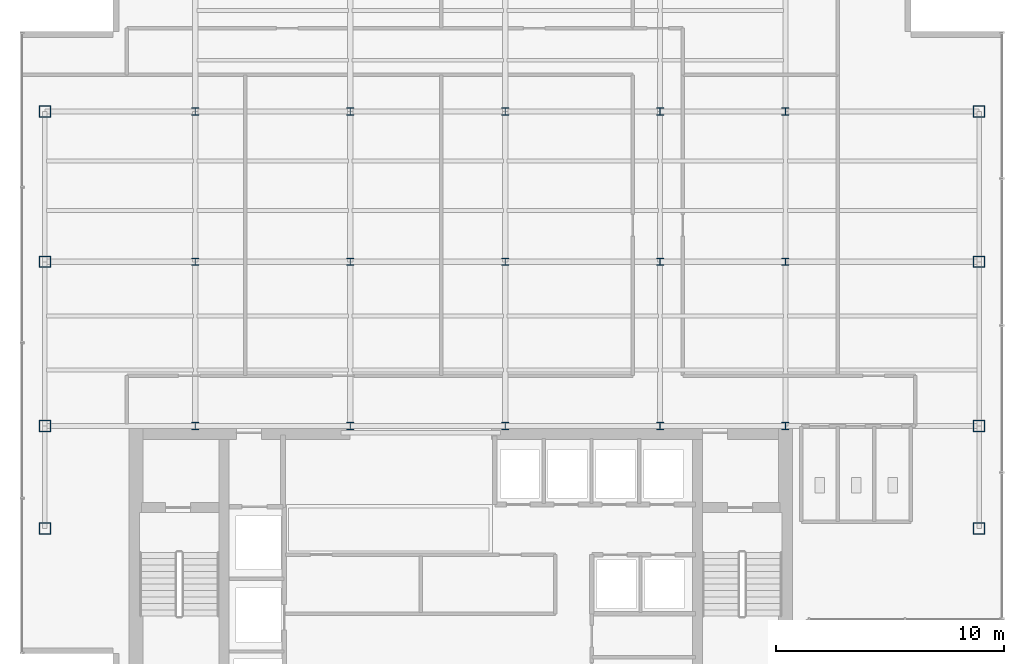
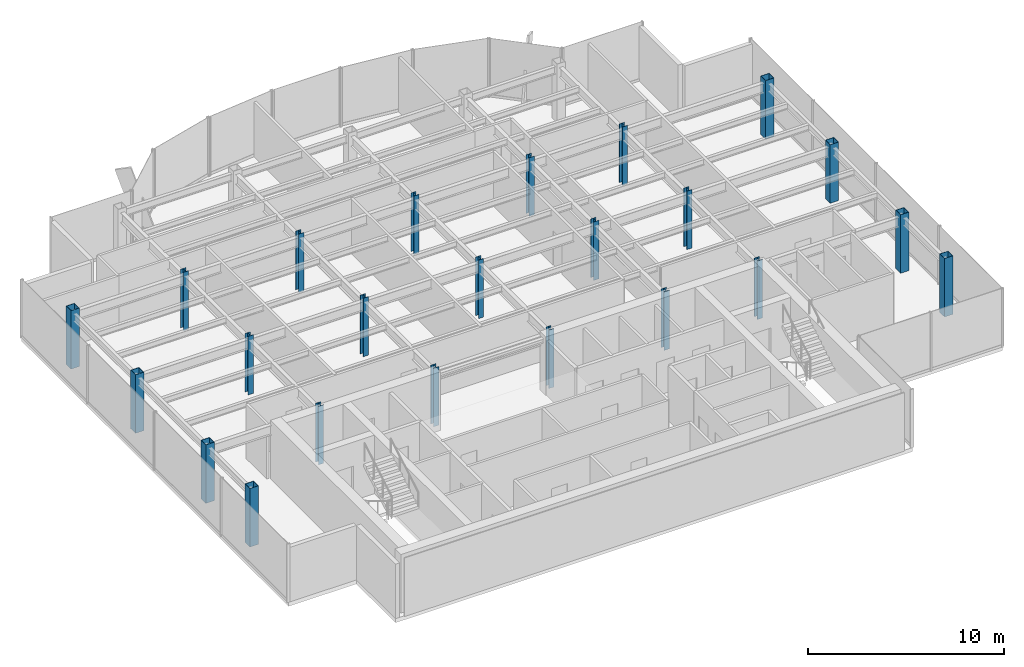
# One storey, part 1 of 22: 23 columns.
"""IFC4 building model written with IfcOpenShell, lengths in metres."""

import ifcopenshell
import ifcopenshell.guid

model = None  # the IFC model being written
_history = None  # IfcOwnerHistory: only IFC2X3 demands one
_inside = {}  # id of a spatial element -> (the spatial element, [elements in it])
_under = {}  # id of a project, library or spatial element -> (it, [spatial elements below it])
_declared = {}  # id of a project -> (the project, [libraries it declares])
_typed = {}  # id of a type object -> (the type object, [elements of that type])
_made_of = {}  # id of a material, layer set ... -> (it, [elements and type objects made of it])


def new_model(schema):
    """Start an empty IFC model of exactly this schema.

    Asked for "IFC4X3", IfcOpenShell would pick the latest addendum, in which some entities
    have other attributes; the version numbers below select the first issue.
    IFC2X3 requires an IfcOwnerHistory on every rooted entity: one is made here for all.
    """
    global model, _history
    if schema == "IFC4X3":
        model = ifcopenshell.file(schema_version=(4, 3, 0, 0))
    else:
        model = ifcopenshell.file(schema=schema)
    _inside.clear()
    _under.clear()
    _declared.clear()
    _typed.clear()
    _made_of.clear()
    _history = None
    if model.schema == "IFC2X3":
        org = make("IfcOrganization", Name="unknown")
        user = make(
            "IfcPersonAndOrganization",
            ThePerson=make("IfcPerson", FamilyName="unknown"),
            TheOrganization=org,
        )
        app = make(
            "IfcApplication",
            ApplicationDeveloper=org,
            Version="unknown",
            ApplicationFullName="unknown",
            ApplicationIdentifier="unknown",
        )
        _history = make(
            "IfcOwnerHistory",
            OwningUser=user,
            OwningApplication=app,
            ChangeAction="ADDED",
            CreationDate=0,
        )
    return model


def make(cls, **values):
    """One entity of the class cls with the attributes given. An attribute that is None is left unset."""
    return model.create_entity(
        cls, **{name: value for name, value in values.items() if value is not None}
    )


def rooted(cls, **values):
    """An entity with a GlobalId (a new one), such as an element, a storey or a relation."""
    return make(cls, GlobalId=ifcopenshell.guid.new(), OwnerHistory=_history, **values)


def si_unit(unit_type, name, prefix=None):
    """IfcSIUnit, for example si_unit("LENGTHUNIT", "METRE", prefix="MILLI")."""
    return make("IfcSIUnit", UnitType=unit_type, Prefix=prefix, Name=name)


def derived_unit(unit_type, elements):
    """IfcDerivedUnit: a product of units, each with its exponent."""
    return make(
        "IfcDerivedUnit",
        Elements=[
            make("IfcDerivedUnitElement", Unit=unit, Exponent=power)
            for unit, power in elements
        ],
        UnitType=unit_type,
    )


def assignment(units):
    """IfcUnitAssignment: the units of a project."""
    return None if units is None else make("IfcUnitAssignment", Units=units)


def point(xyz):
    """IfcCartesianPoint."""
    return None if xyz is None else make("IfcCartesianPoint", Coordinates=xyz)


def direction(xyz):
    """IfcDirection."""
    return None if xyz is None else make("IfcDirection", DirectionRatios=xyz)


def frame(location, z_axis=None, x_axis=None):
    """IfcAxis2Placement3D, a coordinate frame: its origin and axes. An axis left out is left unset."""
    return make(
        "IfcAxis2Placement3D",
        Location=point(location),
        Axis=direction(z_axis),
        RefDirection=direction(x_axis),
    )


def frame_2d(location, x_axis=None):
    """IfcAxis2Placement2D, a coordinate frame in the plane: its origin and x axis."""
    return make(
        "IfcAxis2Placement2D", Location=point(location), RefDirection=direction(x_axis)
    )


def origin():
    """The frame at (0, 0, 0) with its axes left unset."""
    return frame((0.0, 0.0, 0.0))


def origin_2d():
    """The frame at (0, 0) in the plane with its x axis left unset."""
    return frame_2d((0.0, 0.0))


def place(relative_to, where):
    """IfcLocalPlacement: puts the frame where relative to a parent placement (None: the world)."""
    return make(
        "IfcLocalPlacement", PlacementRelTo=relative_to, RelativePlacement=where
    )


def context(
    kind, dimensions, precision=None, world=None, true_north=None, identifier=None
):
    """IfcGeometricRepresentationContext, for example the 3D "Model" context."""
    return make(
        "IfcGeometricRepresentationContext",
        ContextIdentifier=identifier,
        ContextType=kind,
        CoordinateSpaceDimension=dimensions,
        Precision=precision,
        WorldCoordinateSystem=world,
        TrueNorth=true_north,
    )


def subcontext(parent, identifier, kind, view, scale=None):
    """IfcGeometricRepresentationSubContext, for example "Body" below "Model"."""
    return make(
        "IfcGeometricRepresentationSubContext",
        ContextIdentifier=identifier,
        ContextType=kind,
        ParentContext=parent,
        TargetScale=scale,
        TargetView=view,
    )


def project(units=None, contexts=None):
    """IfcProject with its units and contexts."""
    return rooted(
        "IfcProject",
        Name="project",
        RepresentationContexts=contexts,
        UnitsInContext=assignment(units),
    )


def spatial(cls, under=None, at=None, **own):
    """A site, building, storey or space (cls), placed at a placement, below another one or the project."""
    s = rooted(cls, ObjectPlacement=at, **own)
    if under is not None:
        _under.setdefault(under.id(), (under, []))[1].append(s)
    return s


def profile(cls, at=None, kind="AREA", **sizes):
    """A parametric profile (cls). Its sizes go by their IFC names, for example OverallWidth=200.0."""
    return make(cls, ProfileType=kind, Position=at, **sizes)


def hollow_rectangle(**sizes):
    """IfcRectangleHollowProfileDef."""
    return profile("IfcRectangleHollowProfileDef", **sizes)


def i_section(**sizes):
    """IfcIShapeProfileDef."""
    return profile("IfcIShapeProfileDef", **sizes)


def extrude(swept, where, along, depth):
    """IfcExtrudedAreaSolid: the profile swept, set in the frame where, extruded along a direction by depth."""
    return make(
        "IfcExtrudedAreaSolid",
        SweptArea=swept,
        Position=where,
        ExtrudedDirection=direction(along),
        Depth=depth,
    )


def shape(context_of_items, identifier, shape_type, items):
    """IfcShapeRepresentation: the items that make up one representation, for example the "Body"."""
    return make(
        "IfcShapeRepresentation",
        ContextOfItems=context_of_items,
        RepresentationIdentifier=identifier,
        RepresentationType=shape_type,
        Items=items,
    )


def source(mapping_origin, context_of_items, identifier, shape_type, items):
    """IfcRepresentationMap: a shape defined once, which mapped items show again and again."""
    return make(
        "IfcRepresentationMap",
        MappingOrigin=mapping_origin,
        MappedRepresentation=shape(context_of_items, identifier, shape_type, items),
    )


def transform(
    local_origin,
    x_axis=None,
    y_axis=None,
    z_axis=None,
    scale=None,
    scale2=None,
    scale3=None,
    uniform=True,
):
    """IfcCartesianTransformationOperator3D, or its non-uniform kind. x_axis, y_axis, z_axis: its Axis1, 2, 3."""
    if uniform:
        return make(
            "IfcCartesianTransformationOperator3D",
            Axis1=direction(x_axis),
            Axis2=direction(y_axis),
            LocalOrigin=point(local_origin),
            Scale=scale,
            Axis3=direction(z_axis),
        )
    return make(
        "IfcCartesianTransformationOperator3DnonUniform",
        Axis1=direction(x_axis),
        Axis2=direction(y_axis),
        LocalOrigin=point(local_origin),
        Scale=scale,
        Axis3=direction(z_axis),
        Scale2=scale2,
        Scale3=scale3,
    )


def mapped(mapping_source, mapping_target):
    """IfcMappedItem: shows the shape of a source again, moved by a transform."""
    return make(
        "IfcMappedItem", MappingSource=mapping_source, MappingTarget=mapping_target
    )


def material(Name=None, Category=None):
    """IfcMaterial."""
    return make("IfcMaterial", Name=Name, Category=Category)


def material_profile(
    of_material, cross_section, Name=None, Category=None, Priority=None
):
    """IfcMaterialProfile: a cross section and its material."""
    return make(
        "IfcMaterialProfile",
        Name=Name,
        Material=of_material,
        Profile=cross_section,
        Priority=Priority,
        Category=Category,
    )


def profile_set(profiles, Name=None, composite=None):
    """IfcMaterialProfileSet."""
    return make(
        "IfcMaterialProfileSet",
        Name=Name,
        MaterialProfiles=profiles,
        CompositeProfile=composite,
    )


def made_of(thing, what):
    """Note that an element or type object is made of a material, layer set ...; save() writes the relation."""
    if what is not None:
        _made_of.setdefault(what.id(), (what, []))[1].append(thing)
    return thing


def type_object(cls, material=None, **own):
    """A type object (cls), such as IfcWallType, which elements share."""
    return made_of(rooted(cls, **own), material)


def element(
    cls,
    number,
    at=None,
    inside=None,
    cuts=None,
    type_object=None,
    material=None,
    context=None,
    identifier="Body",
    shape_type=None,
    held_by="IfcProductDefinitionShape",
    body=None,
    shapes=None,
    **own,
):
    """One element of the class cls, such as IfcWall. Its Tag is "e" and its number.

    at: its placement. inside: the storey or other place that contains it. cuts: it is an
    opening in that element (IfcRelVoidsElement). A single representation is given by context,
    identifier, shape_type and body (its items); several are given by shapes. held_by: the class
    of the entity that holds the representations. save() writes the other relations.
    """
    e = rooted(cls, Tag="e%d" % number, ObjectPlacement=at, **own)
    if body is not None:
        shapes = [shape(context, identifier, shape_type, body)]
    if shapes is not None:
        e.Representation = make(held_by, Representations=shapes)
    if inside is not None:
        _inside.setdefault(inside.id(), (inside, []))[1].append(e)
    if cuts is not None:
        rooted(
            "IfcRelVoidsElement", RelatingBuildingElement=cuts, RelatedOpeningElement=e
        )
    if type_object is not None:
        _typed.setdefault(type_object.id(), (type_object, []))[1].append(e)
    return made_of(e, material)


def aggregate(whole, parts):
    """IfcRelAggregates: a whole, such as a stair, and the parts it consists of."""
    return rooted("IfcRelAggregates", RelatingObject=whole, RelatedObjects=parts)


def save(model, path):
    """Write the relations noted so far, then the file.

    IfcRelAggregates (storeys below a building ...), IfcRelContainedInSpatialStructure (elements
    in a storey), IfcRelDefinesByType, IfcRelAssociatesMaterial and IfcRelDeclares: one each for
    every whole, place, type object, material and project.
    """
    for whole, parts in _under.values():
        aggregate(whole, parts)
    for where, things in _inside.values():
        rooted(
            "IfcRelContainedInSpatialStructure",
            RelatedElements=things,
            RelatingStructure=where,
        )
    for kind, things in _typed.values():
        rooted("IfcRelDefinesByType", RelatedObjects=things, RelatingType=kind)
    for what, things in _made_of.values():
        rooted("IfcRelAssociatesMaterial", RelatedObjects=things, RelatingMaterial=what)
    for by, libraries in _declared.values():
        rooted("IfcRelDeclares", RelatingContext=by, RelatedDefinitions=libraries)
    model.write(path)


model = new_model("IFC4")

# Units and contexts
model_context = context("Model", 3, precision=1e-05, world=origin(), true_north=direction((0.0, 1.0)))
body_context = subcontext(model_context, "Body", "Model", "MODEL_VIEW")
ifc_project = project(units=[si_unit("LENGTHUNIT", "METRE"), si_unit("AREAUNIT", "SQUARE_METRE"), si_unit("VOLUMEUNIT", "CUBIC_METRE"), si_unit("PLANEANGLEUNIT", "RADIAN"), si_unit("MASSUNIT", "GRAM", prefix="KILO"), derived_unit("THERMALTRANSMITTANCEUNIT", [(si_unit("POWERUNIT", "WATT"), 1), (si_unit("LENGTHUNIT", "METRE"), -2), (si_unit("THERMODYNAMICTEMPERATUREUNIT", "KELVIN"), -1)])], contexts=[model_context])

# Site, building, storey
site_placement = place(None, origin())
site = spatial("IfcSite", under=ifc_project, at=site_placement, CompositionType="ELEMENT")
building_placement = place(site_placement, origin())
building = spatial("IfcBuilding", under=site, at=building_placement, Name="Skarnbrae Concourse Arena and Tower", CompositionType="ELEMENT")
storey_placement = place(building_placement, frame((0.0, 0.0, 203.199951171875)))
storey = spatial("IfcBuildingStorey", under=building, at=storey_placement, Name="L52", CompositionType="ELEMENT", Elevation=203.199951171875)

# Columns
ifc_material = material(Name="Steel CSA G40.21 350W", Category="steel")
ifc_material_profile_1 = material_profile(ifc_material, hollow_rectangle(XDim=0.5, YDim=0.5, WallThickness=0.02197265625, at=origin_2d()), Name="HSS500X500X22.0")
ifc_profile_set_1 = profile_set([ifc_material_profile_1], Name="Steel CSA G40.21 350W")
column_type_1 = type_object("IfcColumnType", Name="COL-TUBE-HSS500", PredefinedType="COLUMN", material=ifc_profile_set_1)
shared_shape_1 = source(origin(), body_context, "Body", "SweptSolid", [
    extrude(hollow_rectangle(XDim=0.5, YDim=0.5, WallThickness=0.02197265625, at=origin_2d()), origin(), (0.0, 0.0, 1.0), 3.650146484375),
])
for number, where, z_axis, x_axis, name in (
    (1, (1.0, 9.5, 0.0), (0.0, 0.0, 1.0), (1.0, 0.0, 0.0), "L52 Tower column PC_01_01"),
    (2, (1.0, 14.0, 0.0), (0.0, 0.0, 1.0), (1.0, 0.0, 0.0), "L52 Tower column PC_01_02"),
    (3, (1.0, 21.199951171875, 0.0), (0.0, 0.0, 1.0), (1.0, 0.0, 0.0), "L52 Tower column PC_01_03"),
    (4, (1.0, 27.800048828125, 0.0), (0.0, 0.0, 1.0), (1.0, 0.0, 0.0), "L52 Tower column PC_01_04"),
    (5, (42.0, 9.5, 0.0), (0.0, 0.0, 1.0), (1.0, 0.0, 0.0), "L52 Tower column PC_07_01"),
    (6, (42.0, 14.0, 0.0), (0.0, 0.0, 1.0), (1.0, 0.0, 0.0), "L52 Tower column PC_07_02"),
    (7, (42.0, 21.199951171875, 0.0), (0.0, 0.0, 1.0), (1.0, 0.0, 0.0), "L52 Tower column PC_07_03"),
    (8, (42.0, 27.800048828125, 0.0), (0.0, 0.0, 1.0), (1.0, 0.0, 0.0), "L52 Tower column PC_07_04"),
):
    element("IfcColumn", number, at=place(storey_placement, frame(where, z_axis=z_axis, x_axis=x_axis)), inside=storey, type_object=column_type_1, Name=name, PredefinedType="COLUMN", context=body_context, shape_type="MappedRepresentation", body=[
        mapped(shared_shape_1, transform((0.0, 0.0, 0.0))),
    ])
ifc_material_profile_2 = material_profile(ifc_material, i_section(OverallWidth=0.30908203125, OverallDepth=0.322998046875, WebThickness=0.013916015625, FlangeThickness=0.02294921875, at=origin_2d()), Name="W310X143")
ifc_profile_set_2 = profile_set([ifc_material_profile_2], Name="Steel CSA G40.21 350W")
column_type_2 = type_object("IfcColumnType", Name="COL-INT-W310X143", PredefinedType="COLUMN", material=ifc_profile_set_2)
shared_shape_2 = source(origin(), body_context, "Body", "SweptSolid", [
    extrude(i_section(OverallWidth=0.30908203125, OverallDepth=0.322998046875, WebThickness=0.013916015625, FlangeThickness=0.02294921875, at=origin_2d()), origin(), (0.0, 0.0, 1.0), 3.650146484375),
])
for number, where, z_axis, x_axis, name in (
    (9, (7.60009765625, 14.0, 0.0), (0.0, 0.0, 1.0), (1.0, 0.0, 0.0), "L52 Tower column IC_02_02"),
    (10, (7.60009765625, 21.199951171875, 0.0), (0.0, 0.0, 1.0), (1.0, 0.0, 0.0), "L52 Tower column IC_02_03"),
    (11, (7.60009765625, 27.800048828125, 0.0), (0.0, 0.0, 1.0), (1.0, 0.0, 0.0), "L52 Tower column IC_02_04"),
    (12, (14.39990234375, 14.0, 0.0), (0.0, 0.0, 1.0), (1.0, 0.0, 0.0), "L52 Tower column IC_03_02"),
    (13, (14.39990234375, 21.199951171875, 0.0), (0.0, 0.0, 1.0), (1.0, 0.0, 0.0), "L52 Tower column IC_03_03"),
    (14, (14.39990234375, 27.800048828125, 0.0), (0.0, 0.0, 1.0), (1.0, 0.0, 0.0), "L52 Tower column IC_03_04"),
    (15, (21.199951171875, 14.0, 0.0), (0.0, 0.0, 1.0), (1.0, 0.0, 0.0), "L52 Tower column IC_04_02"),
    (16, (21.199951171875, 21.199951171875, 0.0), (0.0, 0.0, 1.0), (1.0, 0.0, 0.0), "L52 Tower column IC_04_03"),
    (17, (21.199951171875, 27.800048828125, 0.0), (0.0, 0.0, 1.0), (1.0, 0.0, 0.0), "L52 Tower column IC_04_04"),
    (18, (28.0, 14.0, 0.0), (0.0, 0.0, 1.0), (1.0, 0.0, 0.0), "L52 Tower column IC_05_02"),
    (19, (28.0, 21.199951171875, 0.0), (0.0, 0.0, 1.0), (1.0, 0.0, 0.0), "L52 Tower column IC_05_03"),
    (20, (28.0, 27.800048828125, 0.0), (0.0, 0.0, 1.0), (1.0, 0.0, 0.0), "L52 Tower column IC_05_04"),
    (21, (33.5, 14.0, 0.0), (0.0, 0.0, 1.0), (1.0, 0.0, 0.0), "L52 Tower column IC_06_02"),
    (22, (33.5, 21.199951171875, 0.0), (0.0, 0.0, 1.0), (1.0, 0.0, 0.0), "L52 Tower column IC_06_03"),
    (23, (33.5, 27.800048828125, 0.0), (0.0, 0.0, 1.0), (1.0, 0.0, 0.0), "L52 Tower column IC_06_04"),
):
    element("IfcColumn", number, at=place(storey_placement, frame(where, z_axis=z_axis, x_axis=x_axis)), inside=storey, type_object=column_type_2, Name=name, PredefinedType="COLUMN", context=body_context, shape_type="MappedRepresentation", body=[
        mapped(shared_shape_2, transform((0.0, 0.0, 0.0))),
    ])

save(model, "model.ifc")
